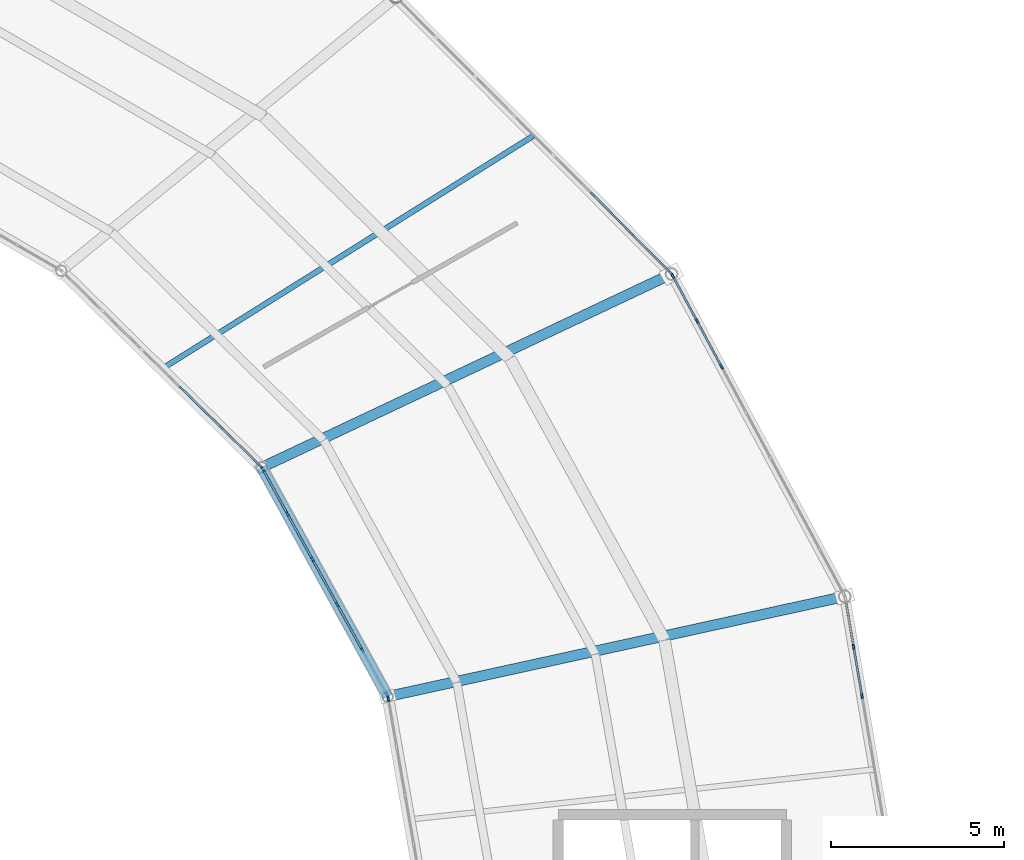
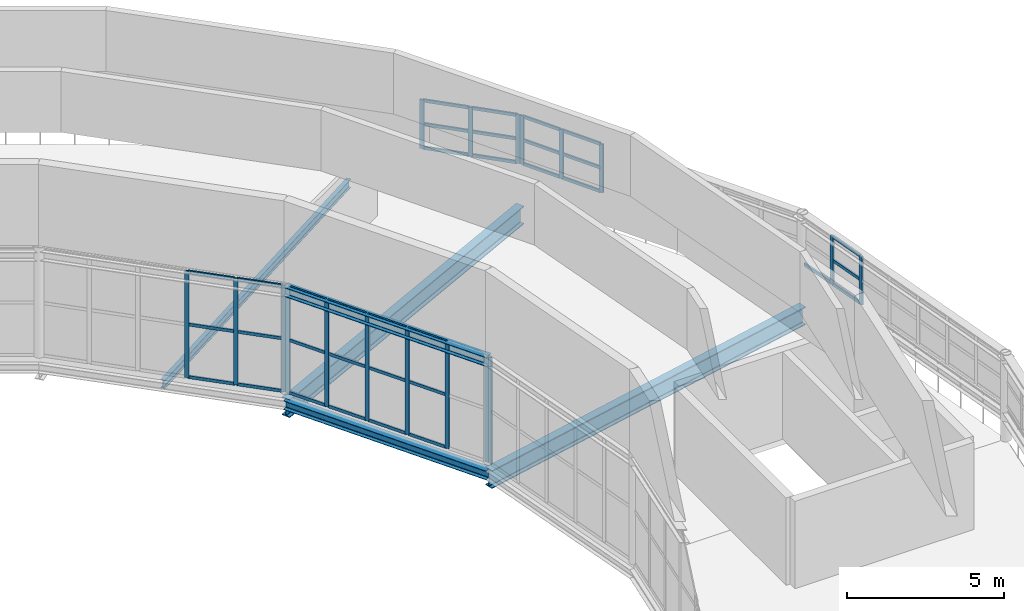
# One storey, part 67 of 123: 52 members, 5 beams, 6 elements without a shape of their own.
"""IFC4 building model written with IfcOpenShell, lengths in metres."""

from ifc_helpers import new_model, si_unit, direction, frame, origin, origin_2d, place, context, subcontext, project, spatial, rectangle, i_section, extrude, material, material_profile, profile_set, type_object, element, aggregate, save


model = new_model("IFC4")

# Units and contexts
model_context = context("Model", 3, precision=1e-05, world=origin(), true_north=direction((0.0, 1.0)))
body_context = subcontext(model_context, "Body", "Model", "MODEL_VIEW")
ifc_project = project(units=[si_unit("LENGTHUNIT", "METRE"), si_unit("AREAUNIT", "SQUARE_METRE"), si_unit("VOLUMEUNIT", "CUBIC_METRE"), si_unit("PLANEANGLEUNIT", "RADIAN"), si_unit("MASSUNIT", "GRAM", prefix="KILO")], contexts=[model_context])

# Site, building, storey
site_placement = place(None, origin())
site = spatial("IfcSite", under=ifc_project, at=site_placement, CompositionType="ELEMENT")
building_placement = place(site_placement, origin())
building = spatial("IfcBuilding", under=site, at=building_placement, Name="Kildeholm Park Wholesale Market", CompositionType="ELEMENT")
storey_placement = place(building_placement, frame((0.0, 0.0, 9.60009765625)))
storey = spatial("IfcBuildingStorey", under=building, at=storey_placement, Name="L02", CompositionType="ELEMENT", Elevation=9.60009765625)

# Beams
ifc_material_1 = material(Name="Steel S355", Category="steel")
ifc_material_profile_1 = material_profile(ifc_material_1, i_section(OverallWidth=0.300048828125, OverallDepth=0.699951171875, WebThickness=0.01708984375, FlangeThickness=0.031982421875, FilletRadius=0.027099609375, at=origin_2d()), Name="HEB 700")
ifc_profile_set_1 = profile_set([ifc_material_profile_1], Name="Steel S355")
beam_type_1 = type_object("IfcBeamType", Name="Beam B-G01 HEB 700", PredefinedType="BEAM", material=ifc_profile_set_1)
beam_1_placement = place(storey_placement, frame((134.256103515625, 96.617919921875, -0.60009765625), z_axis=(0.976846137752, 0.213943037181, 0.0), x_axis=(-0.213943037181, 0.976846137752, 0.0)))
element("IfcBeam", 1, at=beam_1_placement, inside=storey, type_object=beam_type_1, Name="Beam BM-V1-L02-R1-01 BM-0010", PredefinedType="BEAM", context=body_context, shape_type="SweptSolid", body=[
    extrude(i_section(OverallWidth=0.300048828125, OverallDepth=0.699951171875, WebThickness=0.01708984375, FlangeThickness=0.031982421875, FilletRadius=0.027099609375, at=origin_2d()), origin(), (0.0, 0.0, 1.0), 13.546630859375),
])
beam_2_placement = place(storey_placement, frame((130.610107421875, 103.25, -0.60009765625), z_axis=(0.904317894242, 0.426859632846, 0.0), x_axis=(-0.426859632846, 0.904317894242, 0.0)))
element("IfcBeam", 2, at=beam_2_placement, inside=storey, type_object=beam_type_1, Name="Beam BM-V1-L02-R1-02 BM-0019", PredefinedType="BEAM", context=body_context, shape_type="SweptSolid", body=[
    extrude(i_section(OverallWidth=0.300048828125, OverallDepth=0.699951171875, WebThickness=0.01708984375, FlangeThickness=0.031982421875, FilletRadius=0.027099609375, at=origin_2d()), origin(), (0.0, 0.0, 1.0), 13.119384765625),
])
ifc_material_profile_2 = material_profile(ifc_material_1, i_section(OverallWidth=0.300048828125, OverallDepth=0.35009765625, WebThickness=0.010009765625, FlangeThickness=0.017578125, FilletRadius=0.027099609375, at=origin_2d()), Name="HEA 360")
ifc_profile_set_2 = profile_set([ifc_material_profile_2], Name="Steel S355")
beam_type_2 = type_object("IfcBeamType", Name="Beam B-R01 HEA 360", PredefinedType="BEAM", material=ifc_profile_set_2)
beam_3_placement = place(storey_placement, frame((134.256103515625, 96.617919921875, -0.42919921875), z_axis=(-0.481751565348, 0.876307839338, 0.0), x_axis=(-0.876307839338, -0.481751565348, 0.0)))
element("IfcBeam", 3, at=beam_3_placement, inside=storey, type_object=beam_type_2, Name="Beam BM-V1-L02-CI-01 BM-0015", PredefinedType="BEAM", context=body_context, shape_type="SweptSolid", body=[
    extrude(i_section(OverallWidth=0.300048828125, OverallDepth=0.35009765625, WebThickness=0.010009765625, FlangeThickness=0.017578125, FilletRadius=0.027099609375, at=origin_2d()), origin(), (0.0, 0.0, 1.0), 7.568115234375),
])
ifc_material_profile_3 = material_profile(ifc_material_1, i_section(OverallWidth=0.300048828125, OverallDepth=0.360107421875, WebThickness=0.012451171875, FlangeThickness=0.0224609375, FilletRadius=0.027099609375, at=origin_2d()), Name="HEB 360")
ifc_profile_set_3 = profile_set([ifc_material_profile_3], Name="Steel S355")
beam_type_3 = type_object("IfcBeamType", Name="Beam B-R03 HEB 360", PredefinedType="BEAM", material=ifc_profile_set_3)
beam_4_placement = place(storey_placement, frame((134.256103515625, 96.617919921875, 3.988525390625), z_axis=(-0.481751565348, 0.876307839338, 0.0), x_axis=(-0.876307839338, -0.481751565348, 0.0)))
element("IfcBeam", 4, at=beam_4_placement, inside=storey, type_object=beam_type_3, Name="Beam BM-V1-RF-IN-01 BM-0229", PredefinedType="BEAM", context=body_context, shape_type="SweptSolid", body=[
    extrude(i_section(OverallWidth=0.300048828125, OverallDepth=0.360107421875, WebThickness=0.012451171875, FlangeThickness=0.0224609375, FilletRadius=0.027099609375, at=origin_2d()), origin(), (0.0, 0.0, 1.0), 7.568115234375),
])
ifc_material_profile_4 = material_profile(ifc_material_1, i_section(OverallWidth=0.159912109375, OverallDepth=0.330078125, WebThickness=0.007568359375, FlangeThickness=0.011474609375, FilletRadius=0.01806640625, at=origin_2d()), Name="IPE 330")
ifc_profile_set_4 = profile_set([ifc_material_profile_4], Name="Steel S355")
beam_type_4 = type_object("IfcBeamType", Name="Beam J-03 IPE 330", PredefinedType="JOIST", material=ifc_profile_set_4)
beam_5_placement = place(storey_placement, frame((127.726318359375, 106.108154296875, -0.4150390625), z_axis=(0.847114536958, 0.531410351116, 0.0), x_axis=(-0.531410351116, 0.847114536958, 0.0)))
element("IfcBeam", 5, at=beam_5_placement, inside=storey, type_object=beam_type_4, Name="Beam JT-V1-L02-02 BM-0027", PredefinedType="JOIST", context=body_context, shape_type="SweptSolid", body=[
    extrude(i_section(OverallWidth=0.159912109375, OverallDepth=0.330078125, WebThickness=0.007568359375, FlangeThickness=0.011474609375, FilletRadius=0.01806640625, at=origin_2d()), origin(), (0.0, 0.0, 1.0), 12.680908203125),
])

# Curtain wall, members
ifc_material_2 = material(Name="Anodised aluminium and low-E double-glazed glass", Category="aluminium")
curtain_wall_type = type_object("IfcCurtainWallType", Name="Clerestory daylight stick curtain wall CW-02", PredefinedType="NOTDEFINED", material=ifc_material_2)
curtain_wall_1_placement = place(storey_placement, origin())
curtain_wall_1 = element("IfcCurtainWall", 6, at=curtain_wall_1_placement, inside=storey, type_object=curtain_wall_type, Name="Curtain wall CW-V1-CL-00 CW-0002", PredefinedType="NOTDEFINED")
ifc_material_3 = material(Name="Anodised aluminium", Category="aluminium")
ifc_material_profile_5 = material_profile(ifc_material_3, rectangle(XDim=0.06005859375, YDim=0.14990234375, at=origin_2d()), Name="CWM 60x150")
ifc_profile_set_5 = profile_set([ifc_material_profile_5], Name="Anodised aluminium")
member_type_1 = type_object("IfcMemberType", Name="Curtain-wall mullion CWM-3 CWM 60x150", PredefinedType="MULLION", material=ifc_profile_set_5)
member_1_placement = place(storey_placement, frame((147.98779296875, 96.638671875, 1.349853515625), z_axis=(0.0, 0.0, 1.0), x_axis=(-0.985732010437, -0.168322320564, 0.0)))
member_1 = element("IfcMember", 7, at=member_1_placement, type_object=member_type_1, Name="CW-02 mullion 6 MEM-0432", PredefinedType="MULLION", context=body_context, shape_type="SweptSolid", body=[
    extrude(rectangle(XDim=0.06005859375, YDim=0.14990234375, at=origin_2d()), origin(), (0.0, 0.0, 1.0), 1.900146484375),
])
member_2_placement = place(storey_placement, frame((147.745361328125, 98.058349609375, 1.349853515625), z_axis=(0.0, 0.0, 1.0), x_axis=(-0.985732010437, -0.168322320564, 0.0)))
member_2 = element("IfcMember", 8, at=member_2_placement, type_object=member_type_1, Name="CW-02 mullion 7 MEM-0433", PredefinedType="MULLION", context=body_context, shape_type="SweptSolid", body=[
    extrude(rectangle(XDim=0.06005859375, YDim=0.14990234375, at=origin_2d()), origin(), (0.0, 0.0, 1.0), 1.900146484375),
])

# Curtain wall, member
curtain_wall_2_placement = place(storey_placement, origin())
curtain_wall_2 = element("IfcCurtainWall", 9, at=curtain_wall_2_placement, inside=storey, type_object=curtain_wall_type, Name="Curtain wall CW-V1-IN2-00 CW-0005", PredefinedType="NOTDEFINED")
member_3_placement = place(storey_placement, frame((134.275146484375, 96.549560546875, 0.0), z_axis=(0.0, 0.0, 1.0), x_axis=(-0.985073802851, -0.172132515628, 0.0)))
member_3 = element("IfcMember", 10, at=member_3_placement, type_object=member_type_1, Name="CW-02 mullion 6 MEM-0503", PredefinedType="MULLION", context=body_context, shape_type="SweptSolid", body=[
    extrude(rectangle(XDim=0.06005859375, YDim=0.14990234375, at=origin_2d()), origin(), (0.0, 0.0, 1.0), 4.14990234375),
])
aggregate(curtain_wall_2, [member_3])

# Curtain wall, members
curtain_wall_3_placement = place(storey_placement, origin())
curtain_wall_3 = element("IfcCurtainWall", 11, at=curtain_wall_3_placement, inside=storey, type_object=curtain_wall_type, Name="Curtain wall CW-V1-CL-01 CW-0007", PredefinedType="NOTDEFINED")
member_4_placement = place(storey_placement, frame((143.92138671875, 106.170166015625, 1.349853515625), z_axis=(0.0, 0.0, 1.0), x_axis=(-0.880879905062, -0.473339828092, 0.0)))
member_4 = element("IfcMember", 12, at=member_4_placement, type_object=member_type_1, Name="CW-02 mullion 6 MEM-0557", PredefinedType="MULLION", context=body_context, shape_type="SweptSolid", body=[
    extrude(rectangle(XDim=0.06005859375, YDim=0.14990234375, at=origin_2d()), origin(), (0.0, 0.0, 1.0), 1.900146484375),
])
member_5_placement = place(storey_placement, frame((143.210205078125, 107.49365234375, 1.349853515625), z_axis=(0.0, 0.0, 1.0), x_axis=(-0.880879905062, -0.473339828092, 0.0)))
member_5 = element("IfcMember", 13, at=member_5_placement, type_object=member_type_1, Name="CW-02 mullion 7 MEM-0558", PredefinedType="MULLION", context=body_context, shape_type="SweptSolid", body=[
    extrude(rectangle(XDim=0.06005859375, YDim=0.14990234375, at=origin_2d()), origin(), (0.0, 0.0, 1.0), 1.900146484375),
])
member_6_placement = place(storey_placement, frame((142.51318359375, 108.79052734375, 1.349853515625), z_axis=(0.0, 0.0, 1.0), x_axis=(-0.880879905062, -0.473339828092, 0.0)))
member_6 = element("IfcMember", 14, at=member_6_placement, type_object=member_type_1, Name="CW-02 mullion 8 MEM-0559", PredefinedType="MULLION", context=body_context, shape_type="SweptSolid", body=[
    extrude(rectangle(XDim=0.06005859375, YDim=0.14990234375, at=origin_2d()), origin(), (0.0, 0.0, 1.0), 1.900146484375),
])

curtain_wall_4_placement = place(storey_placement, origin())
curtain_wall_4 = element("IfcCurtainWall", 15, at=curtain_wall_4_placement, inside=storey, type_object=curtain_wall_type, Name="Curtain wall CW-V1-IN2-01 CW-0010", PredefinedType="NOTDEFINED")
member_7_placement = place(storey_placement, frame((134.228515625, 96.68017578125, 0.0), z_axis=(0.0, 0.0, 1.0), x_axis=(-0.876308922506, -0.481749595055, 0.0)))
member_7 = element("IfcMember", 16, at=member_7_placement, type_object=member_type_1, Name="CW-02 mullion 1 MEM-0623", PredefinedType="MULLION", context=body_context, shape_type="SweptSolid", body=[
    extrude(rectangle(XDim=0.06005859375, YDim=0.14990234375, at=origin_2d()), origin(), (0.0, 0.0, 1.0), 4.14990234375),
])
member_8_placement = place(storey_placement, frame((133.521484375, 97.966552734375, 0.0), z_axis=(0.0, 0.0, 1.0), x_axis=(-0.876308922506, -0.481749595055, 0.0)))
member_8 = element("IfcMember", 17, at=member_8_placement, type_object=member_type_1, Name="CW-02 mullion 2 MEM-0624", PredefinedType="MULLION", context=body_context, shape_type="SweptSolid", body=[
    extrude(rectangle(XDim=0.06005859375, YDim=0.14990234375, at=origin_2d()), origin(), (0.0, 0.0, 1.0), 4.14990234375),
])
member_9_placement = place(storey_placement, frame((132.7998046875, 99.279296875, 0.0), z_axis=(0.0, 0.0, 1.0), x_axis=(-0.876308922506, -0.481749595055, 0.0)))
member_9 = element("IfcMember", 18, at=member_9_placement, type_object=member_type_1, Name="CW-02 mullion 3 MEM-0625", PredefinedType="MULLION", context=body_context, shape_type="SweptSolid", body=[
    extrude(rectangle(XDim=0.06005859375, YDim=0.14990234375, at=origin_2d()), origin(), (0.0, 0.0, 1.0), 4.14990234375),
])
member_10_placement = place(storey_placement, frame((132.078125, 100.591796875, 0.0), z_axis=(0.0, 0.0, 1.0), x_axis=(-0.876308922506, -0.481749595055, 0.0)))
member_10 = element("IfcMember", 19, at=member_10_placement, type_object=member_type_1, Name="CW-02 mullion 4 MEM-0626", PredefinedType="MULLION", context=body_context, shape_type="SweptSolid", body=[
    extrude(rectangle(XDim=0.06005859375, YDim=0.14990234375, at=origin_2d()), origin(), (0.0, 0.0, 1.0), 4.14990234375),
])
member_11_placement = place(storey_placement, frame((131.356689453125, 101.904296875, 0.0), z_axis=(0.0, 0.0, 1.0), x_axis=(-0.876308922506, -0.481749595055, 0.0)))
member_11 = element("IfcMember", 20, at=member_11_placement, type_object=member_type_1, Name="CW-02 mullion 5 MEM-0627", PredefinedType="MULLION", context=body_context, shape_type="SweptSolid", body=[
    extrude(rectangle(XDim=0.06005859375, YDim=0.14990234375, at=origin_2d()), origin(), (0.0, 0.0, 1.0), 4.14990234375),
])
member_12_placement = place(storey_placement, frame((130.6494140625, 103.190673828125, 0.0), z_axis=(0.0, 0.0, 1.0), x_axis=(-0.876308922506, -0.481749595055, 0.0)))
member_12 = element("IfcMember", 21, at=member_12_placement, type_object=member_type_1, Name="CW-02 mullion 6 MEM-0628", PredefinedType="MULLION", context=body_context, shape_type="SweptSolid", body=[
    extrude(rectangle(XDim=0.06005859375, YDim=0.14990234375, at=origin_2d()), origin(), (0.0, 0.0, 1.0), 4.14990234375),
])

curtain_wall_5_placement = place(storey_placement, origin())
curtain_wall_5 = element("IfcCurtainWall", 22, at=curtain_wall_5_placement, inside=storey, type_object=curtain_wall_type, Name="Curtain wall CW-V1-CL-02 CW-0012", PredefinedType="NOTDEFINED")
member_13_placement = place(storey_placement, frame((142.429931640625, 108.90234375, 1.349853515625), z_axis=(0.0, 0.0, 1.0), x_axis=(-0.708796820959, -0.705412692399, 0.0)))
member_13 = element("IfcMember", 23, at=member_13_placement, type_object=member_type_1, Name="CW-02 mullion 1 MEM-0681", PredefinedType="MULLION", context=body_context, shape_type="SweptSolid", body=[
    extrude(rectangle(XDim=0.06005859375, YDim=0.14990234375, at=origin_2d()), origin(), (0.0, 0.0, 1.0), 1.900146484375),
])
member_14_placement = place(storey_placement, frame((141.3193359375, 110.01806640625, 1.349853515625), z_axis=(0.0, 0.0, 1.0), x_axis=(-0.708796820959, -0.705412692399, 0.0)))
member_14 = element("IfcMember", 24, at=member_14_placement, type_object=member_type_1, Name="CW-02 mullion 2 MEM-0682", PredefinedType="MULLION", context=body_context, shape_type="SweptSolid", body=[
    extrude(rectangle(XDim=0.06005859375, YDim=0.14990234375, at=origin_2d()), origin(), (0.0, 0.0, 1.0), 1.900146484375),
])
member_15_placement = place(storey_placement, frame((140.187744140625, 111.155029296875, 1.349853515625), z_axis=(0.0, 0.0, 1.0), x_axis=(-0.708796820959, -0.705412692399, 0.0)))
member_15 = element("IfcMember", 25, at=member_15_placement, type_object=member_type_1, Name="CW-02 mullion 3 MEM-0683", PredefinedType="MULLION", context=body_context, shape_type="SweptSolid", body=[
    extrude(rectangle(XDim=0.06005859375, YDim=0.14990234375, at=origin_2d()), origin(), (0.0, 0.0, 1.0), 1.900146484375),
])

curtain_wall_6_placement = place(storey_placement, origin())
curtain_wall_6 = element("IfcCurtainWall", 26, at=curtain_wall_6_placement, inside=storey, type_object=curtain_wall_type, Name="Curtain wall CW-V1-IN2-02 CW-0015", PredefinedType="NOTDEFINED")
member_16_placement = place(storey_placement, frame((130.564697265625, 103.302001953125, 0.0), z_axis=(0.0, 0.0, 1.0), x_axis=(-0.700616534607, -0.713537995789, 0.0)))
member_16 = element("IfcMember", 27, at=member_16_placement, type_object=member_type_1, Name="CW-02 mullion 1 MEM-0752", PredefinedType="MULLION", context=body_context, shape_type="SweptSolid", body=[
    extrude(rectangle(XDim=0.06005859375, YDim=0.14990234375, at=origin_2d()), origin(), (0.0, 0.0, 1.0), 4.14990234375),
])
member_17_placement = place(storey_placement, frame((129.4375, 104.40869140625, 0.0), z_axis=(0.0, 0.0, 1.0), x_axis=(-0.700616534607, -0.713537995789, 0.0)))
member_17 = element("IfcMember", 28, at=member_17_placement, type_object=member_type_1, Name="CW-02 mullion 2 MEM-0753", PredefinedType="MULLION", context=body_context, shape_type="SweptSolid", body=[
    extrude(rectangle(XDim=0.06005859375, YDim=0.14990234375, at=origin_2d()), origin(), (0.0, 0.0, 1.0), 4.14990234375),
])
member_18_placement = place(storey_placement, frame((128.288818359375, 105.53662109375, 0.0), z_axis=(0.0, 0.0, 1.0), x_axis=(-0.700616534607, -0.713537995789, 0.0)))
member_18 = element("IfcMember", 29, at=member_18_placement, type_object=member_type_1, Name="CW-02 mullion 3 MEM-0754", PredefinedType="MULLION", context=body_context, shape_type="SweptSolid", body=[
    extrude(rectangle(XDim=0.06005859375, YDim=0.14990234375, at=origin_2d()), origin(), (0.0, 0.0, 1.0), 4.14990234375),
])

# Member
ifc_material_profile_6 = material_profile(ifc_material_3, rectangle(XDim=0.06005859375, YDim=0.1201171875, at=origin_2d()), Name="CWT 60x120")
ifc_profile_set_6 = profile_set([ifc_material_profile_6], Name="Anodised aluminium")
member_type_2 = type_object("IfcMemberType", Name="Curtain-wall transom CWT-3 CWT 60x120", PredefinedType="USERDEFINED", material=ifc_profile_set_6)
member_19_placement = place(storey_placement, frame((147.98291015625, 96.668212890625, 1.3798828125), z_axis=(-0.168384490495, 0.985721392362, 0.0), x_axis=(-0.985721392362, -0.168384490495, 0.0)))
member_19 = element("IfcMember", 30, at=member_19_placement, type_object=member_type_2, Name="CW-02 transom 6.1 MEM-0450", ObjectType="TRANSOM", PredefinedType="USERDEFINED", context=body_context, shape_type="SweptSolid", body=[
    extrude(rectangle(XDim=0.06005859375, YDim=0.1201171875, at=origin_2d()), origin(), (0.0, 0.0, 1.0), 1.38037109375),
])

member_20_placement = place(storey_placement, frame((147.98291015625, 96.668212890625, 2.2998046875), z_axis=(-0.168384490495, 0.985721392362, 0.0), x_axis=(-0.985721392362, -0.168384490495, 0.0)))
member_20 = element("IfcMember", 31, at=member_20_placement, type_object=member_type_2, Name="CW-02 transom 6.2 MEM-0451", ObjectType="TRANSOM", PredefinedType="USERDEFINED", context=body_context, shape_type="SweptSolid", body=[
    extrude(rectangle(XDim=0.06005859375, YDim=0.1201171875, at=origin_2d()), origin(), (0.0, 0.0, 1.0), 1.38037109375),
])

member_21_placement = place(storey_placement, frame((147.98291015625, 96.668212890625, 3.219970703125), z_axis=(-0.168384490495, 0.985721392362, 0.0), x_axis=(-0.985721392362, -0.168384490495, 0.0)))
member_21 = element("IfcMember", 32, at=member_21_placement, type_object=member_type_2, Name="CW-02 transom 6.3 MEM-0452", ObjectType="TRANSOM", PredefinedType="USERDEFINED", context=body_context, shape_type="SweptSolid", body=[
    extrude(rectangle(XDim=0.06005859375, YDim=0.1201171875, at=origin_2d()), origin(), (0.0, 0.0, 1.0), 1.38037109375),
])

member_22_placement = place(storey_placement, frame((147.740478515625, 98.087890625, 1.3798828125), z_axis=(-0.168326457098, 0.985731304079, 0.0), x_axis=(-0.985731304079, -0.168326457098, 0.0)))
member_22 = element("IfcMember", 33, at=member_22_placement, type_object=member_type_2, Name="CW-02 transom 7.1 MEM-0453", ObjectType="TRANSOM", PredefinedType="USERDEFINED", context=body_context, shape_type="SweptSolid", body=[
    extrude(rectangle(XDim=0.06005859375, YDim=0.1201171875, at=origin_2d()), origin(), (0.0, 0.0, 1.0), 1.350341796875),
])

aggregate(curtain_wall_1, [member_1, member_2, member_19, member_20, member_21, member_22])

member_23_placement = place(storey_placement, frame((143.906982421875, 106.196533203125, 1.3798828125), z_axis=(-0.473292074574, 0.880905563693, 0.0), x_axis=(-0.880905563693, -0.473292074574, 0.0)))
member_23 = element("IfcMember", 34, at=member_23_placement, type_object=member_type_2, Name="CW-02 transom 6.1 MEM-0575", ObjectType="TRANSOM", PredefinedType="USERDEFINED", context=body_context, shape_type="SweptSolid", body=[
    extrude(rectangle(XDim=0.06005859375, YDim=0.1201171875, at=origin_2d()), origin(), (0.0, 0.0, 1.0), 1.4423828125),
])

member_24_placement = place(storey_placement, frame((143.906982421875, 106.196533203125, 2.2998046875), z_axis=(-0.473292074574, 0.880905563693, 0.0), x_axis=(-0.880905563693, -0.473292074574, 0.0)))
member_24 = element("IfcMember", 35, at=member_24_placement, type_object=member_type_2, Name="CW-02 transom 6.2 MEM-0576", ObjectType="TRANSOM", PredefinedType="USERDEFINED", context=body_context, shape_type="SweptSolid", body=[
    extrude(rectangle(XDim=0.06005859375, YDim=0.1201171875, at=origin_2d()), origin(), (0.0, 0.0, 1.0), 1.4423828125),
])

member_25_placement = place(storey_placement, frame((143.906982421875, 106.196533203125, 3.219970703125), z_axis=(-0.473292074574, 0.880905563693, 0.0), x_axis=(-0.880905563693, -0.473292074574, 0.0)))
member_25 = element("IfcMember", 36, at=member_25_placement, type_object=member_type_2, Name="CW-02 transom 6.3 MEM-0577", ObjectType="TRANSOM", PredefinedType="USERDEFINED", context=body_context, shape_type="SweptSolid", body=[
    extrude(rectangle(XDim=0.06005859375, YDim=0.1201171875, at=origin_2d()), origin(), (0.0, 0.0, 1.0), 1.4423828125),
])

member_26_placement = place(storey_placement, frame((143.196044921875, 107.52001953125, 1.3798828125), z_axis=(-0.473429702928, 0.88083160501, 0.0), x_axis=(-0.88083160501, -0.473429702928, 0.0)))
member_26 = element("IfcMember", 37, at=member_26_placement, type_object=member_type_2, Name="CW-02 transom 7.1 MEM-0578", ObjectType="TRANSOM", PredefinedType="USERDEFINED", context=body_context, shape_type="SweptSolid", body=[
    extrude(rectangle(XDim=0.06005859375, YDim=0.1201171875, at=origin_2d()), origin(), (0.0, 0.0, 1.0), 1.412353515625),
])

member_27_placement = place(storey_placement, frame((143.196044921875, 107.52001953125, 2.2998046875), z_axis=(-0.473429702928, 0.88083160501, 0.0), x_axis=(-0.88083160501, -0.473429702928, 0.0)))
member_27 = element("IfcMember", 38, at=member_27_placement, type_object=member_type_2, Name="CW-02 transom 7.2 MEM-0579", ObjectType="TRANSOM", PredefinedType="USERDEFINED", context=body_context, shape_type="SweptSolid", body=[
    extrude(rectangle(XDim=0.06005859375, YDim=0.1201171875, at=origin_2d()), origin(), (0.0, 0.0, 1.0), 1.412353515625),
])

member_28_placement = place(storey_placement, frame((143.196044921875, 107.52001953125, 3.219970703125), z_axis=(-0.473429702928, 0.88083160501, 0.0), x_axis=(-0.88083160501, -0.473429702928, 0.0)))
member_28 = element("IfcMember", 39, at=member_28_placement, type_object=member_type_2, Name="CW-02 transom 7.3 MEM-0580", ObjectType="TRANSOM", PredefinedType="USERDEFINED", context=body_context, shape_type="SweptSolid", body=[
    extrude(rectangle(XDim=0.06005859375, YDim=0.1201171875, at=origin_2d()), origin(), (0.0, 0.0, 1.0), 1.412353515625),
])

aggregate(curtain_wall_3, [member_4, member_5, member_6, member_23, member_24, member_25, member_26, member_27, member_28])

member_29_placement = place(storey_placement, frame((133.5068359375, 97.992919921875, 0.02978515625), z_axis=(-0.481716674184, 0.876327019903, 0.0), x_axis=(-0.876327019903, -0.481716674184, 0.0)))
member_29 = element("IfcMember", 40, at=member_29_placement, type_object=member_type_2, Name="CW-02 transom 2.1 MEM-0632", ObjectType="TRANSOM", PredefinedType="USERDEFINED", context=body_context, shape_type="SweptSolid", body=[
    extrude(rectangle(XDim=0.06005859375, YDim=0.1201171875, at=origin_2d()), origin(), (0.0, 0.0, 1.0), 1.437744140625),
])

member_30_placement = place(storey_placement, frame((133.5068359375, 97.992919921875, 2.074951171875), z_axis=(-0.481716674184, 0.876327019903, 0.0), x_axis=(-0.876327019903, -0.481716674184, 0.0)))
member_30 = element("IfcMember", 41, at=member_30_placement, type_object=member_type_2, Name="CW-02 transom 2.2 MEM-0633", ObjectType="TRANSOM", PredefinedType="USERDEFINED", context=body_context, shape_type="SweptSolid", body=[
    extrude(rectangle(XDim=0.06005859375, YDim=0.1201171875, at=origin_2d()), origin(), (0.0, 0.0, 1.0), 1.437744140625),
])

member_31_placement = place(storey_placement, frame((133.5068359375, 97.992919921875, 4.119873046875), z_axis=(-0.481716674184, 0.876327019903, 0.0), x_axis=(-0.876327019903, -0.481716674184, 0.0)))
member_31 = element("IfcMember", 42, at=member_31_placement, type_object=member_type_2, Name="CW-02 transom 2.3 MEM-0634", ObjectType="TRANSOM", PredefinedType="USERDEFINED", context=body_context, shape_type="SweptSolid", body=[
    extrude(rectangle(XDim=0.06005859375, YDim=0.1201171875, at=origin_2d()), origin(), (0.0, 0.0, 1.0), 1.437744140625),
])

member_32_placement = place(storey_placement, frame((132.785400390625, 99.305419921875, 0.02978515625), z_axis=(-0.481716674184, 0.876327019903, 0.0), x_axis=(-0.876327019903, -0.481716674184, 0.0)))
member_32 = element("IfcMember", 43, at=member_32_placement, type_object=member_type_2, Name="CW-02 transom 3.1 MEM-0635", ObjectType="TRANSOM", PredefinedType="USERDEFINED", context=body_context, shape_type="SweptSolid", body=[
    extrude(rectangle(XDim=0.06005859375, YDim=0.1201171875, at=origin_2d()), origin(), (0.0, 0.0, 1.0), 1.437744140625),
])

member_33_placement = place(storey_placement, frame((132.785400390625, 99.305419921875, 2.074951171875), z_axis=(-0.481716674184, 0.876327019903, 0.0), x_axis=(-0.876327019903, -0.481716674184, 0.0)))
member_33 = element("IfcMember", 44, at=member_33_placement, type_object=member_type_2, Name="CW-02 transom 3.2 MEM-0636", ObjectType="TRANSOM", PredefinedType="USERDEFINED", context=body_context, shape_type="SweptSolid", body=[
    extrude(rectangle(XDim=0.06005859375, YDim=0.1201171875, at=origin_2d()), origin(), (0.0, 0.0, 1.0), 1.437744140625),
])

member_34_placement = place(storey_placement, frame((132.785400390625, 99.305419921875, 4.119873046875), z_axis=(-0.481716674184, 0.876327019903, 0.0), x_axis=(-0.876327019903, -0.481716674184, 0.0)))
member_34 = element("IfcMember", 45, at=member_34_placement, type_object=member_type_2, Name="CW-02 transom 3.3 MEM-0637", ObjectType="TRANSOM", PredefinedType="USERDEFINED", context=body_context, shape_type="SweptSolid", body=[
    extrude(rectangle(XDim=0.06005859375, YDim=0.1201171875, at=origin_2d()), origin(), (0.0, 0.0, 1.0), 1.437744140625),
])

member_35_placement = place(storey_placement, frame((132.063720703125, 100.6181640625, 0.02978515625), z_axis=(-0.481716674184, 0.876327019903, 0.0), x_axis=(-0.876327019903, -0.481716674184, 0.0)))
member_35 = element("IfcMember", 46, at=member_35_placement, type_object=member_type_2, Name="CW-02 transom 4.1 MEM-0638", ObjectType="TRANSOM", PredefinedType="USERDEFINED", context=body_context, shape_type="SweptSolid", body=[
    extrude(rectangle(XDim=0.06005859375, YDim=0.1201171875, at=origin_2d()), origin(), (0.0, 0.0, 1.0), 1.437744140625),
])

member_36_placement = place(storey_placement, frame((132.063720703125, 100.6181640625, 2.074951171875), z_axis=(-0.481716674184, 0.876327019903, 0.0), x_axis=(-0.876327019903, -0.481716674184, 0.0)))
member_36 = element("IfcMember", 47, at=member_36_placement, type_object=member_type_2, Name="CW-02 transom 4.2 MEM-0639", ObjectType="TRANSOM", PredefinedType="USERDEFINED", context=body_context, shape_type="SweptSolid", body=[
    extrude(rectangle(XDim=0.06005859375, YDim=0.1201171875, at=origin_2d()), origin(), (0.0, 0.0, 1.0), 1.437744140625),
])

member_37_placement = place(storey_placement, frame((132.063720703125, 100.6181640625, 4.119873046875), z_axis=(-0.481716674184, 0.876327019903, 0.0), x_axis=(-0.876327019903, -0.481716674184, 0.0)))
member_37 = element("IfcMember", 48, at=member_37_placement, type_object=member_type_2, Name="CW-02 transom 4.3 MEM-0640", ObjectType="TRANSOM", PredefinedType="USERDEFINED", context=body_context, shape_type="SweptSolid", body=[
    extrude(rectangle(XDim=0.06005859375, YDim=0.1201171875, at=origin_2d()), origin(), (0.0, 0.0, 1.0), 1.437744140625),
])

member_38_placement = place(storey_placement, frame((131.342041015625, 101.9306640625, 0.02978515625), z_axis=(-0.481765625321, 0.8763001097, 0.0), x_axis=(-0.8763001097, -0.481765625321, 0.0)))
member_38 = element("IfcMember", 49, at=member_38_placement, type_object=member_type_2, Name="CW-02 transom 5.1 MEM-0641", ObjectType="TRANSOM", PredefinedType="USERDEFINED", context=body_context, shape_type="SweptSolid", body=[
    extrude(rectangle(XDim=0.06005859375, YDim=0.1201171875, at=origin_2d()), origin(), (0.0, 0.0, 1.0), 1.40771484375),
])

member_39_placement = place(storey_placement, frame((131.342041015625, 101.9306640625, 2.074951171875), z_axis=(-0.481765625321, 0.8763001097, 0.0), x_axis=(-0.8763001097, -0.481765625321, 0.0)))
member_39 = element("IfcMember", 50, at=member_39_placement, type_object=member_type_2, Name="CW-02 transom 5.2 MEM-0642", ObjectType="TRANSOM", PredefinedType="USERDEFINED", context=body_context, shape_type="SweptSolid", body=[
    extrude(rectangle(XDim=0.06005859375, YDim=0.1201171875, at=origin_2d()), origin(), (0.0, 0.0, 1.0), 1.40771484375),
])

member_40_placement = place(storey_placement, frame((131.342041015625, 101.9306640625, 4.119873046875), z_axis=(-0.481765625321, 0.8763001097, 0.0), x_axis=(-0.8763001097, -0.481765625321, 0.0)))
member_40 = element("IfcMember", 51, at=member_40_placement, type_object=member_type_2, Name="CW-02 transom 5.3 MEM-0643", ObjectType="TRANSOM", PredefinedType="USERDEFINED", context=body_context, shape_type="SweptSolid", body=[
    extrude(rectangle(XDim=0.06005859375, YDim=0.1201171875, at=origin_2d()), origin(), (0.0, 0.0, 1.0), 1.40771484375),
])

aggregate(curtain_wall_4, [member_7, member_8, member_9, member_10, member_11, member_12, member_29, member_30, member_31, member_32, member_33, member_34, member_35, member_36, member_37, member_38, member_39, member_40])

member_41_placement = place(storey_placement, frame((142.40869140625, 108.923583984375, 1.3798828125), z_axis=(-0.705411766229, 0.708797742707, 0.0), x_axis=(-0.708797742707, -0.705411766229, 0.0)))
member_41 = element("IfcMember", 52, at=member_41_placement, type_object=member_type_2, Name="CW-02 transom 1.1 MEM-0689", ObjectType="TRANSOM", PredefinedType="USERDEFINED", context=body_context, shape_type="SweptSolid", body=[
    extrude(rectangle(XDim=0.06005859375, YDim=0.1201171875, at=origin_2d()), origin(), (0.0, 0.0, 1.0), 1.51416015625),
])

member_42_placement = place(storey_placement, frame((142.40869140625, 108.923583984375, 2.2998046875), z_axis=(-0.705411766229, 0.708797742707, 0.0), x_axis=(-0.708797742707, -0.705411766229, 0.0)))
member_42 = element("IfcMember", 53, at=member_42_placement, type_object=member_type_2, Name="CW-02 transom 1.2 MEM-0690", ObjectType="TRANSOM", PredefinedType="USERDEFINED", context=body_context, shape_type="SweptSolid", body=[
    extrude(rectangle(XDim=0.06005859375, YDim=0.1201171875, at=origin_2d()), origin(), (0.0, 0.0, 1.0), 1.51416015625),
])

member_43_placement = place(storey_placement, frame((142.40869140625, 108.923583984375, 3.219970703125), z_axis=(-0.705411766229, 0.708797742707, 0.0), x_axis=(-0.708797742707, -0.705411766229, 0.0)))
member_43 = element("IfcMember", 54, at=member_43_placement, type_object=member_type_2, Name="CW-02 transom 1.3 MEM-0691", ObjectType="TRANSOM", PredefinedType="USERDEFINED", context=body_context, shape_type="SweptSolid", body=[
    extrude(rectangle(XDim=0.06005859375, YDim=0.1201171875, at=origin_2d()), origin(), (0.0, 0.0, 1.0), 1.51416015625),
])

member_44_placement = place(storey_placement, frame((141.29833984375, 110.039306640625, 1.3798828125), z_axis=(-0.705444776486, 0.708764888612, 0.0), x_axis=(-0.708764888612, -0.705444776486, 0.0)))
member_44 = element("IfcMember", 55, at=member_44_placement, type_object=member_type_2, Name="CW-02 transom 2.1 MEM-0692", ObjectType="TRANSOM", PredefinedType="USERDEFINED", context=body_context, shape_type="SweptSolid", body=[
    extrude(rectangle(XDim=0.06005859375, YDim=0.1201171875, at=origin_2d()), origin(), (0.0, 0.0, 1.0), 1.544189453125),
])

member_45_placement = place(storey_placement, frame((141.29833984375, 110.039306640625, 2.2998046875), z_axis=(-0.705444776486, 0.708764888612, 0.0), x_axis=(-0.708764888612, -0.705444776486, 0.0)))
member_45 = element("IfcMember", 56, at=member_45_placement, type_object=member_type_2, Name="CW-02 transom 2.2 MEM-0693", ObjectType="TRANSOM", PredefinedType="USERDEFINED", context=body_context, shape_type="SweptSolid", body=[
    extrude(rectangle(XDim=0.06005859375, YDim=0.1201171875, at=origin_2d()), origin(), (0.0, 0.0, 1.0), 1.544189453125),
])

member_46_placement = place(storey_placement, frame((141.29833984375, 110.039306640625, 3.219970703125), z_axis=(-0.705444776486, 0.708764888612, 0.0), x_axis=(-0.708764888612, -0.705444776486, 0.0)))
member_46 = element("IfcMember", 57, at=member_46_placement, type_object=member_type_2, Name="CW-02 transom 2.3 MEM-0694", ObjectType="TRANSOM", PredefinedType="USERDEFINED", context=body_context, shape_type="SweptSolid", body=[
    extrude(rectangle(XDim=0.06005859375, YDim=0.1201171875, at=origin_2d()), origin(), (0.0, 0.0, 1.0), 1.544189453125),
])

aggregate(curtain_wall_5, [member_13, member_14, member_15, member_41, member_42, member_43, member_44, member_45, member_46])

member_47_placement = place(storey_placement, frame((130.543212890625, 103.322998046875, 0.02978515625), z_axis=(-0.713582952172, 0.700570746156, 0.0), x_axis=(-0.700570746156, -0.713582952172, 0.0)))
member_47 = element("IfcMember", 58, at=member_47_placement, type_object=member_type_2, Name="CW-02 transom 1.1 MEM-0758", ObjectType="TRANSOM", PredefinedType="USERDEFINED", context=body_context, shape_type="SweptSolid", body=[
    extrude(rectangle(XDim=0.06005859375, YDim=0.1201171875, at=origin_2d()), origin(), (0.0, 0.0, 1.0), 1.519775390625),
])

member_48_placement = place(storey_placement, frame((130.543212890625, 103.322998046875, 2.074951171875), z_axis=(-0.713582952172, 0.700570746156, 0.0), x_axis=(-0.700570746156, -0.713582952172, 0.0)))
member_48 = element("IfcMember", 59, at=member_48_placement, type_object=member_type_2, Name="CW-02 transom 1.2 MEM-0759", ObjectType="TRANSOM", PredefinedType="USERDEFINED", context=body_context, shape_type="SweptSolid", body=[
    extrude(rectangle(XDim=0.06005859375, YDim=0.1201171875, at=origin_2d()), origin(), (0.0, 0.0, 1.0), 1.519775390625),
])

member_49_placement = place(storey_placement, frame((130.543212890625, 103.322998046875, 4.119873046875), z_axis=(-0.713582952172, 0.700570746156, 0.0), x_axis=(-0.700570746156, -0.713582952172, 0.0)))
member_49 = element("IfcMember", 60, at=member_49_placement, type_object=member_type_2, Name="CW-02 transom 1.3 MEM-0760", ObjectType="TRANSOM", PredefinedType="USERDEFINED", context=body_context, shape_type="SweptSolid", body=[
    extrude(rectangle(XDim=0.06005859375, YDim=0.1201171875, at=origin_2d()), origin(), (0.0, 0.0, 1.0), 1.519775390625),
])

member_50_placement = place(storey_placement, frame((129.416015625, 104.429931640625, 0.02978515625), z_axis=(-0.713536761503, 0.700617791655, 0.0), x_axis=(-0.700617791655, -0.713536761503, 0.0)))
member_50 = element("IfcMember", 61, at=member_50_placement, type_object=member_type_2, Name="CW-02 transom 2.1 MEM-0761", ObjectType="TRANSOM", PredefinedType="USERDEFINED", context=body_context, shape_type="SweptSolid", body=[
    extrude(rectangle(XDim=0.06005859375, YDim=0.1201171875, at=origin_2d()), origin(), (0.0, 0.0, 1.0), 1.549560546875),
])

member_51_placement = place(storey_placement, frame((129.416015625, 104.429931640625, 2.074951171875), z_axis=(-0.713536761503, 0.700617791655, 0.0), x_axis=(-0.700617791655, -0.713536761503, 0.0)))
member_51 = element("IfcMember", 62, at=member_51_placement, type_object=member_type_2, Name="CW-02 transom 2.2 MEM-0762", ObjectType="TRANSOM", PredefinedType="USERDEFINED", context=body_context, shape_type="SweptSolid", body=[
    extrude(rectangle(XDim=0.06005859375, YDim=0.1201171875, at=origin_2d()), origin(), (0.0, 0.0, 1.0), 1.549560546875),
])

member_52_placement = place(storey_placement, frame((129.416015625, 104.429931640625, 4.119873046875), z_axis=(-0.713536761503, 0.700617791655, 0.0), x_axis=(-0.700617791655, -0.713536761503, 0.0)))
member_52 = element("IfcMember", 63, at=member_52_placement, type_object=member_type_2, Name="CW-02 transom 2.3 MEM-0763", ObjectType="TRANSOM", PredefinedType="USERDEFINED", context=body_context, shape_type="SweptSolid", body=[
    extrude(rectangle(XDim=0.06005859375, YDim=0.1201171875, at=origin_2d()), origin(), (0.0, 0.0, 1.0), 1.549560546875),
])

aggregate(curtain_wall_6, [member_16, member_17, member_18, member_47, member_48, member_49, member_50, member_51, member_52])

save(model, "model.ifc")
